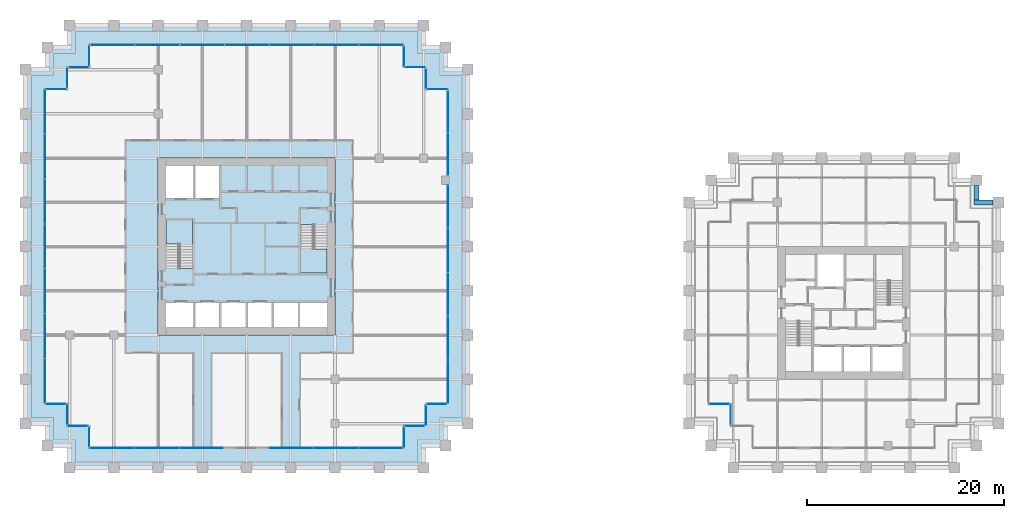
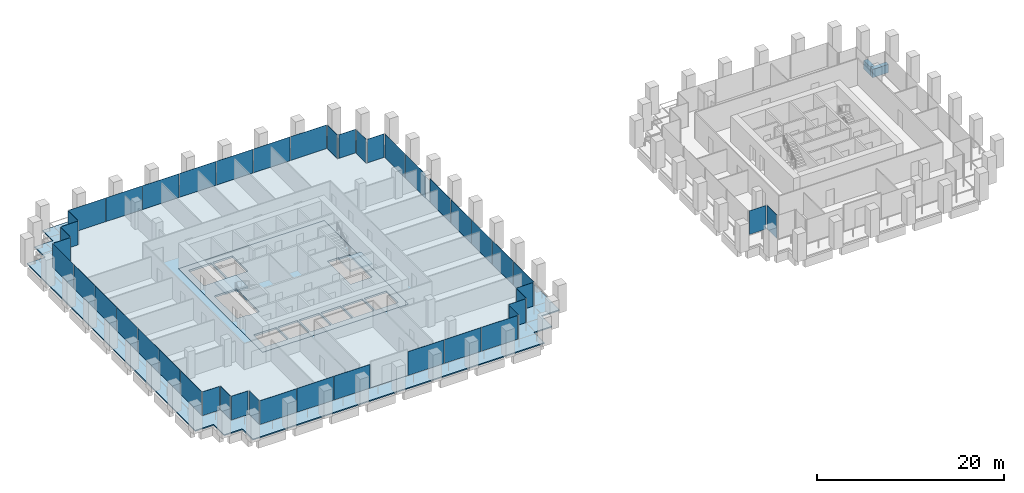
# One storey, part 48 of 56: 45 plates, 5 slabs, 2 beams, 26 elements without a shape of their own.
"""IFC4 building model written with IfcOpenShell, lengths in metres."""

from ifc_helpers import new_model, si_unit, direction, frame, origin, origin_2d, place, context, subcontext, project, spatial, polyline, rectangle, outline, extrude, material, layer, layer_set, material_profile, profile_set, type_object, element, aggregate, save


model = new_model("IFC4")

# Units and contexts
model_context = context("Model", 3, precision=1e-05, world=origin(), true_north=direction((0.0, 1.0)))
body_context = subcontext(model_context, "Body", "Model", "MODEL_VIEW")
ifc_project = project(units=[si_unit("LENGTHUNIT", "METRE"), si_unit("AREAUNIT", "SQUARE_METRE"), si_unit("VOLUMEUNIT", "CUBIC_METRE"), si_unit("PLANEANGLEUNIT", "RADIAN"), si_unit("MASSUNIT", "GRAM", prefix="KILO")], contexts=[model_context])

# Site, building, storey
site_placement = place(None, origin())
site = spatial("IfcSite", under=ifc_project, at=site_placement, CompositionType="ELEMENT")
building_placement = place(site_placement, origin())
building = spatial("IfcBuilding", under=site, at=building_placement, Name="Altepetl Exchange Towers", CompositionType="ELEMENT")
storey_placement = place(building_placement, frame((0.0, 0.0, 72.60009765625)))
storey = spatial("IfcBuildingStorey", under=building, at=storey_placement, Name="L17", CompositionType="ELEMENT", Elevation=72.60009765625)

# Beams
ifc_material_1 = material(Name="Concrete C50/60 precast with cantera amarilla facing", Category="concrete")
ifc_material_profile = material_profile(ifc_material_1, rectangle(XDim=0.5, YDim=1.10009765625, at=origin_2d()), Name="500 x 1100")
ifc_profile_set = profile_set([ifc_material_profile], Name="Concrete C50/60 precast with cantera amarilla facing")
beam_type = type_object("IfcBeamType", Name="Spandrel beam 500x1100 cantera amarilla", PredefinedType="SPANDREL", material=ifc_profile_set)
beam_1_placement = place(storey_placement, frame((125.449951171875, 54.0, -0.7001953125), z_axis=(-1.0, 0.0, 0.0), x_axis=(0.0, -1.0, 0.0)))
element("IfcBeam", 1, at=beam_1_placement, inside=storey, type_object=beam_type, Name="sp:B:L17:014", PredefinedType="SPANDREL", context=body_context, shape_type="SweptSolid", body=[
    extrude(rectangle(XDim=0.5, YDim=1.10009765625, at=origin_2d()), origin(), (0.0, 0.0, 1.0), 1.949951171875),
])
beam_2_placement = place(storey_placement, frame((123.75, 54.25, -0.7001953125), z_axis=(0.0, 1.0, 0.0), x_axis=(-1.0, 0.0, 0.0)))
element("IfcBeam", 2, at=beam_2_placement, inside=storey, type_object=beam_type, Name="sp:B:L17:015", PredefinedType="SPANDREL", context=body_context, shape_type="SweptSolid", body=[
    extrude(rectangle(XDim=0.5, YDim=1.10009765625, at=origin_2d()), origin(), (0.0, 0.0, 1.0), 1.449951171875),
])

# Slabs
ifc_material_2 = material(Name="Concrete C40/50", Category="concrete")
ifc_layer_1 = layer(ifc_material_2, 0.14990234375)
ifc_layer_set_1 = layer_set([ifc_layer_1], Name="Concrete C40/50")
slab_type_1 = type_object("IfcSlabType", Name="Composite floor slab 150", PredefinedType="FLOOR", material=ifc_layer_set_1)
slab_1_placement = place(storey_placement, frame((0.0, 0.0, -0.150146484375)))
element("IfcSlab", 3, at=slab_1_placement, inside=storey, type_object=slab_type_1, Name="slab:A:L17:strip0", PredefinedType="FLOOR", context=body_context, shape_type="SweptSolid", body=[
    extrude(outline(polyline([(31.25, 67.75), (31.25, 65.5), (29.0, 65.5), (29.0, 33.5), (31.25, 33.5), (31.25, 31.25), (33.5, 31.25), (33.5, 29.0), (65.5, 29.0), (65.5, 31.25), (67.75, 31.25), (67.75, 33.5), (70.0, 33.5), (70.0, 65.5), (67.75, 65.5), (67.75, 67.75), (65.5, 67.75), (65.5, 70.0), (33.5, 70.0), (33.5, 67.75), (31.25, 67.75)]), holes=[polyline([(58.5, 58.5), (58.5, 40.5), (40.5, 40.5), (40.5, 58.5), (58.5, 58.5)])]), origin(), (0.0, 0.0, 1.0), 0.150146484375),
])
ifc_layer_2 = layer(ifc_material_2, 0.25)
ifc_layer_set_2 = layer_set([ifc_layer_2], Name="Concrete C40/50")
slab_type_2 = type_object("IfcSlabType", Name="Core floor slab 250", PredefinedType="FLOOR", material=ifc_layer_set_2)
slab_2_placement = place(storey_placement, frame((0.0, 0.0, -0.25)))
element("IfcSlab", 4, at=slab_2_placement, inside=storey, type_object=slab_type_2, Name="slab:A:L17:core0", PredefinedType="FLOOR", context=body_context, shape_type="SweptSolid", body=[
    extrude(outline(polyline([(40.5, 40.5), (58.5, 40.5), (58.5, 58.5), (40.5, 58.5), (40.5, 40.5)]), holes=[polyline([(41.300048828125, 43.800048828125), (44.06689453125, 43.800048828125), (44.06689453125, 41.300048828125), (41.300048828125, 41.300048828125), (41.300048828125, 43.800048828125)]), polyline([(44.26708984375, 43.800048828125), (46.73291015625, 43.800048828125), (46.73291015625, 41.300048828125), (44.26708984375, 41.300048828125), (44.26708984375, 43.800048828125)]), polyline([(46.93310546875, 43.800048828125), (49.39990234375, 43.800048828125), (49.39990234375, 41.300048828125), (46.93310546875, 41.300048828125), (46.93310546875, 43.800048828125)]), polyline([(52.06689453125, 43.800048828125), (52.06689453125, 41.300048828125), (49.60009765625, 41.300048828125), (49.60009765625, 43.800048828125), (52.06689453125, 43.800048828125)]), polyline([(54.73291015625, 43.800048828125), (54.73291015625, 41.300048828125), (52.26708984375, 41.300048828125), (52.26708984375, 43.800048828125), (54.73291015625, 43.800048828125)]), polyline([(54.93310546875, 43.800048828125), (57.699951171875, 43.800048828125), (57.699951171875, 41.300048828125), (54.93310546875, 41.300048828125), (54.93310546875, 43.800048828125)]), polyline([(55.0, 51.7490234375), (56.39990234375, 51.7490234375), (56.39990234375, 51.64990234375), (57.699951171875, 51.64990234375), (57.699951171875, 46.800048828125), (55.0, 46.800048828125), (55.0, 51.7490234375)]), polyline([(44.0, 47.2509765625), (42.60009765625, 47.2509765625), (42.60009765625, 47.35009765625), (41.300048828125, 47.35009765625), (41.300048828125, 52.199951171875), (44.0, 52.199951171875), (44.0, 47.2509765625)]), polyline([(44.06689453125, 57.699951171875), (44.06689453125, 54.39990234375), (41.300048828125, 54.39990234375), (41.300048828125, 57.699951171875), (44.06689453125, 57.699951171875)]), polyline([(46.73291015625, 57.699951171875), (46.73291015625, 54.39990234375), (44.26708984375, 54.39990234375), (44.26708984375, 57.699951171875), (46.73291015625, 57.699951171875)])]), origin(), (0.0, 0.0, 1.0), 0.25),
])

# Curtain wall, plate
ifc_material_3 = material(Name="Aluminium 6063-T6 glazing", Category="aluminium")
curtain_wall_type = type_object("IfcCurtainWallType", Name="Loggia glazing system", PredefinedType="NOTDEFINED", material=ifc_material_3)
curtain_wall_1_placement = place(storey_placement, origin())
curtain_wall_1 = element("IfcCurtainWall", 5, at=curtain_wall_1_placement, inside=storey, type_object=curtain_wall_type, Name="CW1 run", PredefinedType="NOTDEFINED")
ifc_material_4 = material(Name="Glass 6-16-6 low emissivity", Category="glass")
ifc_layer_3 = layer(ifc_material_4, 0.028076171875)
ifc_layer_set_3 = layer_set([ifc_layer_3], Name="Glass 6-16-6 low emissivity")
plate_type = type_object("IfcPlateType", Name="Glass panel 28 double glazed", PredefinedType="CURTAIN_PANEL", material=ifc_layer_set_3)
plate_1_placement = place(storey_placement, frame((30.16259765625, 65.5, -0.000244140625), z_axis=(0.0, 0.0, 1.0), x_axis=(-1.0, 0.0, 0.0)))
plate_1 = element("IfcPlate", 6, at=plate_1_placement, type_object=plate_type, Name="GP1 panel", PredefinedType="CURTAIN_PANEL", context=body_context, shape_type="SweptSolid", body=[
    extrude(rectangle(XDim=2.054931640625, YDim=0.028076171875, at=origin_2d()), origin(), (0.0, 0.0, 1.0), 3.10009765625),
])
aggregate(curtain_wall_1, [plate_1])

# Curtain wall, plates
curtain_wall_2_placement = place(storey_placement, origin())
curtain_wall_2 = element("IfcCurtainWall", 7, at=curtain_wall_2_placement, inside=storey, type_object=curtain_wall_type, Name="CW1 run", PredefinedType="NOTDEFINED")
plate_2_placement = place(storey_placement, frame((29.0, 63.20458984375, -0.000244140625), z_axis=(0.0, 0.0, 1.0), x_axis=(0.0, -1.0, 0.0)))
plate_2 = element("IfcPlate", 8, at=plate_2_placement, type_object=plate_type, Name="GP1 panel", PredefinedType="CURTAIN_PANEL", context=body_context, shape_type="SweptSolid", body=[
    extrude(rectangle(XDim=4.470703125, YDim=0.028076171875, at=origin_2d()), origin(), (0.0, 0.0, 1.0), 3.10009765625),
])
plate_3_placement = place(storey_placement, frame((29.0, 58.658935546875, -0.000244140625), z_axis=(0.0, 0.0, 1.0), x_axis=(0.0, -1.0, 0.0)))
plate_3 = element("IfcPlate", 9, at=plate_3_placement, type_object=plate_type, Name="GP1 panel", PredefinedType="CURTAIN_PANEL", context=body_context, shape_type="SweptSolid", body=[
    extrude(rectangle(XDim=4.500732421875, YDim=0.028076171875, at=origin_2d()), origin(), (0.0, 0.0, 1.0), 3.10009765625),
])
plate_4_placement = place(storey_placement, frame((29.0, 54.09814453125, -0.000244140625), z_axis=(0.0, 0.0, 1.0), x_axis=(0.0, -1.0, 0.0)))
plate_4 = element("IfcPlate", 10, at=plate_4_placement, type_object=plate_type, Name="GP1 panel", PredefinedType="CURTAIN_PANEL", context=body_context, shape_type="SweptSolid", body=[
    extrude(rectangle(XDim=4.500732421875, YDim=0.028076171875, at=origin_2d()), origin(), (0.0, 0.0, 1.0), 3.10009765625),
])
plate_5_placement = place(storey_placement, frame((29.0, 49.53759765625, -0.000244140625), z_axis=(0.0, 0.0, 1.0), x_axis=(0.0, -1.0, 0.0)))
plate_5 = element("IfcPlate", 11, at=plate_5_placement, type_object=plate_type, Name="GP1 panel", PredefinedType="CURTAIN_PANEL", context=body_context, shape_type="SweptSolid", body=[
    extrude(rectangle(XDim=4.500732421875, YDim=0.028076171875, at=origin_2d()), origin(), (0.0, 0.0, 1.0), 3.10009765625),
])
plate_6_placement = place(storey_placement, frame((29.0, 44.976806640625, -0.000244140625), z_axis=(0.0, 0.0, 1.0), x_axis=(0.0, -1.0, 0.0)))
plate_6 = element("IfcPlate", 12, at=plate_6_placement, type_object=plate_type, Name="GP1 panel", PredefinedType="CURTAIN_PANEL", context=body_context, shape_type="SweptSolid", body=[
    extrude(rectangle(XDim=4.500732421875, YDim=0.028076171875, at=origin_2d()), origin(), (0.0, 0.0, 1.0), 3.10009765625),
])
plate_7_placement = place(storey_placement, frame((29.0, 40.416015625, -0.000244140625), z_axis=(0.0, 0.0, 1.0), x_axis=(0.0, -1.0, 0.0)))
plate_7 = element("IfcPlate", 13, at=plate_7_placement, type_object=plate_type, Name="GP1 panel", PredefinedType="CURTAIN_PANEL", context=body_context, shape_type="SweptSolid", body=[
    extrude(rectangle(XDim=4.500732421875, YDim=0.028076171875, at=origin_2d()), origin(), (0.0, 0.0, 1.0), 3.10009765625),
])
plate_8_placement = place(storey_placement, frame((29.0, 35.870361328125, -0.000244140625), z_axis=(0.0, 0.0, 1.0), x_axis=(0.0, -1.0, 0.0)))
plate_8 = element("IfcPlate", 14, at=plate_8_placement, type_object=plate_type, Name="GP1 panel", PredefinedType="CURTAIN_PANEL", context=body_context, shape_type="SweptSolid", body=[
    extrude(rectangle(XDim=4.470703125, YDim=0.028076171875, at=origin_2d()), origin(), (0.0, 0.0, 1.0), 3.10009765625),
])
aggregate(curtain_wall_2, [plate_2, plate_3, plate_4, plate_5, plate_6, plate_7, plate_8])

# Curtain wall, plate
curtain_wall_3_placement = place(storey_placement, origin())
curtain_wall_3 = element("IfcCurtainWall", 15, at=curtain_wall_3_placement, inside=storey, type_object=curtain_wall_type, Name="CW1 run", PredefinedType="NOTDEFINED")
plate_9_placement = place(storey_placement, frame((30.08740234375, 33.5, -0.000244140625)))
plate_9 = element("IfcPlate", 16, at=plate_9_placement, type_object=plate_type, Name="GP1 panel", PredefinedType="CURTAIN_PANEL", context=body_context, shape_type="SweptSolid", body=[
    extrude(rectangle(XDim=2.054931640625, YDim=0.028076171875, at=origin_2d()), origin(), (0.0, 0.0, 1.0), 3.10009765625),
])
aggregate(curtain_wall_3, [plate_9])

curtain_wall_4_placement = place(storey_placement, origin())
curtain_wall_4 = element("IfcCurtainWall", 17, at=curtain_wall_4_placement, inside=storey, type_object=curtain_wall_type, Name="CW1 run", PredefinedType="NOTDEFINED")
plate_10_placement = place(storey_placement, frame((31.25, 32.41259765625, -0.000244140625), z_axis=(0.0, 0.0, 1.0), x_axis=(0.0, -1.0, 0.0)))
plate_10 = element("IfcPlate", 18, at=plate_10_placement, type_object=plate_type, Name="GP1 panel", PredefinedType="CURTAIN_PANEL", context=body_context, shape_type="SweptSolid", body=[
    extrude(rectangle(XDim=2.054931640625, YDim=0.028076171875, at=origin_2d()), origin(), (0.0, 0.0, 1.0), 3.10009765625),
])
aggregate(curtain_wall_4, [plate_10])

curtain_wall_5_placement = place(storey_placement, origin())
curtain_wall_5 = element("IfcCurtainWall", 19, at=curtain_wall_5_placement, inside=storey, type_object=curtain_wall_type, Name="CW1 run", PredefinedType="NOTDEFINED")
plate_11_placement = place(storey_placement, frame((32.33740234375, 31.25, -0.000244140625)))
plate_11 = element("IfcPlate", 20, at=plate_11_placement, type_object=plate_type, Name="GP1 panel", PredefinedType="CURTAIN_PANEL", context=body_context, shape_type="SweptSolid", body=[
    extrude(rectangle(XDim=2.054931640625, YDim=0.028076171875, at=origin_2d()), origin(), (0.0, 0.0, 1.0), 3.10009765625),
])
aggregate(curtain_wall_5, [plate_11])

curtain_wall_6_placement = place(storey_placement, origin())
curtain_wall_6 = element("IfcCurtainWall", 21, at=curtain_wall_6_placement, inside=storey, type_object=curtain_wall_type, Name="CW1 run", PredefinedType="NOTDEFINED")
plate_12_placement = place(storey_placement, frame((33.5, 30.16259765625, -0.000244140625), z_axis=(0.0, 0.0, 1.0), x_axis=(0.0, -1.0, 0.0)))
plate_12 = element("IfcPlate", 22, at=plate_12_placement, type_object=plate_type, Name="GP1 panel", PredefinedType="CURTAIN_PANEL", context=body_context, shape_type="SweptSolid", body=[
    extrude(rectangle(XDim=2.054931640625, YDim=0.028076171875, at=origin_2d()), origin(), (0.0, 0.0, 1.0), 3.10009765625),
])
aggregate(curtain_wall_6, [plate_12])

# Curtain wall, plates
curtain_wall_7_placement = place(storey_placement, origin())
curtain_wall_7 = element("IfcCurtainWall", 23, at=curtain_wall_7_placement, inside=storey, type_object=curtain_wall_type, Name="CW1 run", PredefinedType="NOTDEFINED")
plate_13_placement = place(storey_placement, frame((35.79541015625, 29.0, -0.000244140625)))
plate_13 = element("IfcPlate", 24, at=plate_13_placement, type_object=plate_type, Name="GP1 panel", PredefinedType="CURTAIN_PANEL", context=body_context, shape_type="SweptSolid", body=[
    extrude(rectangle(XDim=4.470703125, YDim=0.028076171875, at=origin_2d()), origin(), (0.0, 0.0, 1.0), 3.10009765625),
])
plate_14_placement = place(storey_placement, frame((40.341064453125, 29.0, -0.000244140625)))
plate_14 = element("IfcPlate", 25, at=plate_14_placement, type_object=plate_type, Name="GP1 panel", PredefinedType="CURTAIN_PANEL", context=body_context, shape_type="SweptSolid", body=[
    extrude(rectangle(XDim=4.500732421875, YDim=0.028076171875, at=origin_2d()), origin(), (0.0, 0.0, 1.0), 3.10009765625),
])
plate_15_placement = place(storey_placement, frame((44.88671875, 29.0, -0.000244140625)))
plate_15 = element("IfcPlate", 26, at=plate_15_placement, type_object=plate_type, Name="GP1 panel", PredefinedType="CURTAIN_PANEL", context=body_context, shape_type="SweptSolid", body=[
    extrude(rectangle(XDim=4.470703125, YDim=0.028076171875, at=origin_2d()), origin(), (0.0, 0.0, 1.0), 3.10009765625),
])
aggregate(curtain_wall_7, [plate_13, plate_14, plate_15])

curtain_wall_8_placement = place(storey_placement, origin())
curtain_wall_8 = element("IfcCurtainWall", 27, at=curtain_wall_8_placement, inside=storey, type_object=curtain_wall_type, Name="CW1 run", PredefinedType="NOTDEFINED")
plate_16_placement = place(storey_placement, frame((54.038330078125, 29.0, -0.000244140625)))
plate_16 = element("IfcPlate", 28, at=plate_16_placement, type_object=plate_type, Name="GP1 panel", PredefinedType="CURTAIN_PANEL", context=body_context, shape_type="SweptSolid", body=[
    extrude(rectangle(XDim=4.470703125, YDim=0.028076171875, at=origin_2d()), origin(), (0.0, 0.0, 1.0), 3.10009765625),
])
plate_17_placement = place(storey_placement, frame((58.583984375, 29.0, -0.000244140625)))
plate_17 = element("IfcPlate", 29, at=plate_17_placement, type_object=plate_type, Name="GP1 panel", PredefinedType="CURTAIN_PANEL", context=body_context, shape_type="SweptSolid", body=[
    extrude(rectangle(XDim=4.500732421875, YDim=0.028076171875, at=origin_2d()), origin(), (0.0, 0.0, 1.0), 3.10009765625),
])
plate_18_placement = place(storey_placement, frame((63.129638671875, 29.0, -0.000244140625)))
plate_18 = element("IfcPlate", 30, at=plate_18_placement, type_object=plate_type, Name="GP1 panel", PredefinedType="CURTAIN_PANEL", context=body_context, shape_type="SweptSolid", body=[
    extrude(rectangle(XDim=4.470703125, YDim=0.028076171875, at=origin_2d()), origin(), (0.0, 0.0, 1.0), 3.10009765625),
])
aggregate(curtain_wall_8, [plate_16, plate_17, plate_18])

# Curtain wall, plate
curtain_wall_9_placement = place(storey_placement, origin())
curtain_wall_9 = element("IfcCurtainWall", 31, at=curtain_wall_9_placement, inside=storey, type_object=curtain_wall_type, Name="CW1 run", PredefinedType="NOTDEFINED")
plate_19_placement = place(storey_placement, frame((65.5, 30.08740234375, -0.000244140625), z_axis=(0.0, 0.0, 1.0), x_axis=(0.0, 1.0, 0.0)))
plate_19 = element("IfcPlate", 32, at=plate_19_placement, type_object=plate_type, Name="GP1 panel", PredefinedType="CURTAIN_PANEL", context=body_context, shape_type="SweptSolid", body=[
    extrude(rectangle(XDim=2.054931640625, YDim=0.028076171875, at=origin_2d()), origin(), (0.0, 0.0, 1.0), 3.10009765625),
])
aggregate(curtain_wall_9, [plate_19])

curtain_wall_10_placement = place(storey_placement, origin())
curtain_wall_10 = element("IfcCurtainWall", 33, at=curtain_wall_10_placement, inside=storey, type_object=curtain_wall_type, Name="CW1 run", PredefinedType="NOTDEFINED")
plate_20_placement = place(storey_placement, frame((66.58740234375, 31.25, -0.000244140625)))
plate_20 = element("IfcPlate", 34, at=plate_20_placement, type_object=plate_type, Name="GP1 panel", PredefinedType="CURTAIN_PANEL", context=body_context, shape_type="SweptSolid", body=[
    extrude(rectangle(XDim=2.054931640625, YDim=0.028076171875, at=origin_2d()), origin(), (0.0, 0.0, 1.0), 3.10009765625),
])
aggregate(curtain_wall_10, [plate_20])

curtain_wall_11_placement = place(storey_placement, origin())
curtain_wall_11 = element("IfcCurtainWall", 35, at=curtain_wall_11_placement, inside=storey, type_object=curtain_wall_type, Name="CW1 run", PredefinedType="NOTDEFINED")
plate_21_placement = place(storey_placement, frame((67.75, 32.33740234375, -0.000244140625), z_axis=(0.0, 0.0, 1.0), x_axis=(0.0, 1.0, 0.0)))
plate_21 = element("IfcPlate", 36, at=plate_21_placement, type_object=plate_type, Name="GP1 panel", PredefinedType="CURTAIN_PANEL", context=body_context, shape_type="SweptSolid", body=[
    extrude(rectangle(XDim=2.054931640625, YDim=0.028076171875, at=origin_2d()), origin(), (0.0, 0.0, 1.0), 3.10009765625),
])
aggregate(curtain_wall_11, [plate_21])

curtain_wall_12_placement = place(storey_placement, origin())
curtain_wall_12 = element("IfcCurtainWall", 37, at=curtain_wall_12_placement, inside=storey, type_object=curtain_wall_type, Name="CW1 run", PredefinedType="NOTDEFINED")
plate_22_placement = place(storey_placement, frame((68.83740234375, 33.5, -0.000244140625)))
plate_22 = element("IfcPlate", 38, at=plate_22_placement, type_object=plate_type, Name="GP1 panel", PredefinedType="CURTAIN_PANEL", context=body_context, shape_type="SweptSolid", body=[
    extrude(rectangle(XDim=2.054931640625, YDim=0.028076171875, at=origin_2d()), origin(), (0.0, 0.0, 1.0), 3.10009765625),
])
aggregate(curtain_wall_12, [plate_22])

# Curtain wall, plates
curtain_wall_13_placement = place(storey_placement, origin())
curtain_wall_13 = element("IfcCurtainWall", 39, at=curtain_wall_13_placement, inside=storey, type_object=curtain_wall_type, Name="CW1 run", PredefinedType="NOTDEFINED")
plate_23_placement = place(storey_placement, frame((70.0, 35.74560546875, -0.000244140625), z_axis=(0.0, 0.0, 1.0), x_axis=(0.0, 1.0, 0.0)))
plate_23 = element("IfcPlate", 40, at=plate_23_placement, type_object=plate_type, Name="GP1 panel", PredefinedType="CURTAIN_PANEL", context=body_context, shape_type="SweptSolid", body=[
    extrude(rectangle(XDim=4.37109375, YDim=0.028076171875, at=origin_2d()), origin(), (0.0, 0.0, 1.0), 3.10009765625),
])
plate_24_placement = place(storey_placement, frame((70.0, 40.19140625, -0.000244140625), z_axis=(0.0, 0.0, 1.0), x_axis=(0.0, 1.0, 0.0)))
plate_24 = element("IfcPlate", 41, at=plate_24_placement, type_object=plate_type, Name="GP1 panel", PredefinedType="CURTAIN_PANEL", context=body_context, shape_type="SweptSolid", body=[
    extrude(rectangle(XDim=4.40087890625, YDim=0.028076171875, at=origin_2d()), origin(), (0.0, 0.0, 1.0), 3.10009765625),
])
plate_25_placement = place(storey_placement, frame((70.0, 44.652587890625, -0.000244140625), z_axis=(0.0, 0.0, 1.0), x_axis=(0.0, 1.0, 0.0)))
plate_25 = element("IfcPlate", 42, at=plate_25_placement, type_object=plate_type, Name="GP1 panel", PredefinedType="CURTAIN_PANEL", context=body_context, shape_type="SweptSolid", body=[
    extrude(rectangle(XDim=4.40087890625, YDim=0.028076171875, at=origin_2d()), origin(), (0.0, 0.0, 1.0), 3.10009765625),
])
plate_26_placement = place(storey_placement, frame((70.0, 49.113525390625, -0.000244140625), z_axis=(0.0, 0.0, 1.0), x_axis=(0.0, 1.0, 0.0)))
plate_26 = element("IfcPlate", 43, at=plate_26_placement, type_object=plate_type, Name="GP1 panel", PredefinedType="CURTAIN_PANEL", context=body_context, shape_type="SweptSolid", body=[
    extrude(rectangle(XDim=4.40087890625, YDim=0.028076171875, at=origin_2d()), origin(), (0.0, 0.0, 1.0), 3.10009765625),
])
plate_27_placement = place(storey_placement, frame((70.0, 53.5595703125, -0.000244140625), z_axis=(0.0, 0.0, 1.0), x_axis=(0.0, 1.0, 0.0)))
plate_27 = element("IfcPlate", 44, at=plate_27_placement, type_object=plate_type, Name="GP1 panel", PredefinedType="CURTAIN_PANEL", context=body_context, shape_type="SweptSolid", body=[
    extrude(rectangle(XDim=4.37109375, YDim=0.028076171875, at=origin_2d()), origin(), (0.0, 0.0, 1.0), 3.10009765625),
])
aggregate(curtain_wall_13, [plate_23, plate_24, plate_25, plate_26, plate_27])

curtain_wall_14_placement = place(storey_placement, origin())
curtain_wall_14 = element("IfcCurtainWall", 45, at=curtain_wall_14_placement, inside=storey, type_object=curtain_wall_type, Name="CW1 run", PredefinedType="NOTDEFINED")
plate_28_placement = place(storey_placement, frame((70.0, 58.892578125, -0.000244140625), z_axis=(0.0, 0.0, 1.0), x_axis=(0.0, 1.0, 0.0)))
plate_28 = element("IfcPlate", 46, at=plate_28_placement, type_object=plate_type, Name="GP1 panel", PredefinedType="CURTAIN_PANEL", context=body_context, shape_type="SweptSolid", body=[
    extrude(rectangle(XDim=4.27490234375, YDim=0.028076171875, at=origin_2d()), origin(), (0.0, 0.0, 1.0), 3.10009765625),
])
plate_29_placement = place(storey_placement, frame((70.0, 63.2275390625, -0.000244140625), z_axis=(0.0, 0.0, 1.0), x_axis=(0.0, 1.0, 0.0)))
plate_29 = element("IfcPlate", 47, at=plate_29_placement, type_object=plate_type, Name="GP1 panel", PredefinedType="CURTAIN_PANEL", context=body_context, shape_type="SweptSolid", body=[
    extrude(rectangle(XDim=4.27490234375, YDim=0.028076171875, at=origin_2d()), origin(), (0.0, 0.0, 1.0), 3.10009765625),
])
aggregate(curtain_wall_14, [plate_28, plate_29])

# Curtain wall, plate
curtain_wall_15_placement = place(storey_placement, origin())
curtain_wall_15 = element("IfcCurtainWall", 48, at=curtain_wall_15_placement, inside=storey, type_object=curtain_wall_type, Name="CW1 run", PredefinedType="NOTDEFINED")
plate_30_placement = place(storey_placement, frame((68.91259765625, 65.5, -0.000244140625), z_axis=(0.0, 0.0, 1.0), x_axis=(-1.0, 0.0, 0.0)))
plate_30 = element("IfcPlate", 49, at=plate_30_placement, type_object=plate_type, Name="GP1 panel", PredefinedType="CURTAIN_PANEL", context=body_context, shape_type="SweptSolid", body=[
    extrude(rectangle(XDim=2.054931640625, YDim=0.028076171875, at=origin_2d()), origin(), (0.0, 0.0, 1.0), 3.10009765625),
])
aggregate(curtain_wall_15, [plate_30])

curtain_wall_16_placement = place(storey_placement, origin())
curtain_wall_16 = element("IfcCurtainWall", 50, at=curtain_wall_16_placement, inside=storey, type_object=curtain_wall_type, Name="CW1 run", PredefinedType="NOTDEFINED")
plate_31_placement = place(storey_placement, frame((67.75, 66.58740234375, -0.000244140625), z_axis=(0.0, 0.0, 1.0), x_axis=(0.0, 1.0, 0.0)))
plate_31 = element("IfcPlate", 51, at=plate_31_placement, type_object=plate_type, Name="GP1 panel", PredefinedType="CURTAIN_PANEL", context=body_context, shape_type="SweptSolid", body=[
    extrude(rectangle(XDim=2.054931640625, YDim=0.028076171875, at=origin_2d()), origin(), (0.0, 0.0, 1.0), 3.10009765625),
])
aggregate(curtain_wall_16, [plate_31])

curtain_wall_17_placement = place(storey_placement, origin())
curtain_wall_17 = element("IfcCurtainWall", 52, at=curtain_wall_17_placement, inside=storey, type_object=curtain_wall_type, Name="CW1 run", PredefinedType="NOTDEFINED")
plate_32_placement = place(storey_placement, frame((66.66259765625, 67.75, -0.000244140625), z_axis=(0.0, 0.0, 1.0), x_axis=(-1.0, 0.0, 0.0)))
plate_32 = element("IfcPlate", 53, at=plate_32_placement, type_object=plate_type, Name="GP1 panel", PredefinedType="CURTAIN_PANEL", context=body_context, shape_type="SweptSolid", body=[
    extrude(rectangle(XDim=2.054931640625, YDim=0.028076171875, at=origin_2d()), origin(), (0.0, 0.0, 1.0), 3.10009765625),
])
aggregate(curtain_wall_17, [plate_32])

curtain_wall_18_placement = place(storey_placement, origin())
curtain_wall_18 = element("IfcCurtainWall", 54, at=curtain_wall_18_placement, inside=storey, type_object=curtain_wall_type, Name="CW1 run", PredefinedType="NOTDEFINED")
plate_33_placement = place(storey_placement, frame((65.5, 68.83740234375, -0.000244140625), z_axis=(0.0, 0.0, 1.0), x_axis=(0.0, 1.0, 0.0)))
plate_33 = element("IfcPlate", 55, at=plate_33_placement, type_object=plate_type, Name="GP1 panel", PredefinedType="CURTAIN_PANEL", context=body_context, shape_type="SweptSolid", body=[
    extrude(rectangle(XDim=2.054931640625, YDim=0.028076171875, at=origin_2d()), origin(), (0.0, 0.0, 1.0), 3.10009765625),
])
aggregate(curtain_wall_18, [plate_33])

# Curtain wall, plates
curtain_wall_19_placement = place(storey_placement, origin())
curtain_wall_19 = element("IfcCurtainWall", 56, at=curtain_wall_19_placement, inside=storey, type_object=curtain_wall_type, Name="CW1 run", PredefinedType="NOTDEFINED")
plate_34_placement = place(storey_placement, frame((63.20458984375, 70.0, -0.000244140625), z_axis=(0.0, 0.0, 1.0), x_axis=(-1.0, 0.0, 0.0)))
plate_34 = element("IfcPlate", 57, at=plate_34_placement, type_object=plate_type, Name="GP1 panel", PredefinedType="CURTAIN_PANEL", context=body_context, shape_type="SweptSolid", body=[
    extrude(rectangle(XDim=4.470703125, YDim=0.028076171875, at=origin_2d()), origin(), (0.0, 0.0, 1.0), 3.10009765625),
])
plate_35_placement = place(storey_placement, frame((58.658935546875, 70.0, -0.000244140625), z_axis=(0.0, 0.0, 1.0), x_axis=(-1.0, 0.0, 0.0)))
plate_35 = element("IfcPlate", 58, at=plate_35_placement, type_object=plate_type, Name="GP1 panel", PredefinedType="CURTAIN_PANEL", context=body_context, shape_type="SweptSolid", body=[
    extrude(rectangle(XDim=4.500732421875, YDim=0.028076171875, at=origin_2d()), origin(), (0.0, 0.0, 1.0), 3.10009765625),
])
plate_36_placement = place(storey_placement, frame((54.09814453125, 70.0, -0.000244140625), z_axis=(0.0, 0.0, 1.0), x_axis=(-1.0, 0.0, 0.0)))
plate_36 = element("IfcPlate", 59, at=plate_36_placement, type_object=plate_type, Name="GP1 panel", PredefinedType="CURTAIN_PANEL", context=body_context, shape_type="SweptSolid", body=[
    extrude(rectangle(XDim=4.500732421875, YDim=0.028076171875, at=origin_2d()), origin(), (0.0, 0.0, 1.0), 3.10009765625),
])
plate_37_placement = place(storey_placement, frame((49.53759765625, 70.0, -0.000244140625), z_axis=(0.0, 0.0, 1.0), x_axis=(-1.0, 0.0, 0.0)))
plate_37 = element("IfcPlate", 60, at=plate_37_placement, type_object=plate_type, Name="GP1 panel", PredefinedType="CURTAIN_PANEL", context=body_context, shape_type="SweptSolid", body=[
    extrude(rectangle(XDim=4.500732421875, YDim=0.028076171875, at=origin_2d()), origin(), (0.0, 0.0, 1.0), 3.10009765625),
])
plate_38_placement = place(storey_placement, frame((44.976806640625, 70.0, -0.000244140625), z_axis=(0.0, 0.0, 1.0), x_axis=(-1.0, 0.0, 0.0)))
plate_38 = element("IfcPlate", 61, at=plate_38_placement, type_object=plate_type, Name="GP1 panel", PredefinedType="CURTAIN_PANEL", context=body_context, shape_type="SweptSolid", body=[
    extrude(rectangle(XDim=4.500732421875, YDim=0.028076171875, at=origin_2d()), origin(), (0.0, 0.0, 1.0), 3.10009765625),
])
plate_39_placement = place(storey_placement, frame((40.416015625, 70.0, -0.000244140625), z_axis=(0.0, 0.0, 1.0), x_axis=(-1.0, 0.0, 0.0)))
plate_39 = element("IfcPlate", 62, at=plate_39_placement, type_object=plate_type, Name="GP1 panel", PredefinedType="CURTAIN_PANEL", context=body_context, shape_type="SweptSolid", body=[
    extrude(rectangle(XDim=4.500732421875, YDim=0.028076171875, at=origin_2d()), origin(), (0.0, 0.0, 1.0), 3.10009765625),
])
plate_40_placement = place(storey_placement, frame((35.870361328125, 70.0, -0.000244140625), z_axis=(0.0, 0.0, 1.0), x_axis=(-1.0, 0.0, 0.0)))
plate_40 = element("IfcPlate", 63, at=plate_40_placement, type_object=plate_type, Name="GP1 panel", PredefinedType="CURTAIN_PANEL", context=body_context, shape_type="SweptSolid", body=[
    extrude(rectangle(XDim=4.470703125, YDim=0.028076171875, at=origin_2d()), origin(), (0.0, 0.0, 1.0), 3.10009765625),
])
aggregate(curtain_wall_19, [plate_34, plate_35, plate_36, plate_37, plate_38, plate_39, plate_40])

# Curtain wall, plate
curtain_wall_20_placement = place(storey_placement, origin())
curtain_wall_20 = element("IfcCurtainWall", 64, at=curtain_wall_20_placement, inside=storey, type_object=curtain_wall_type, Name="CW1 run", PredefinedType="NOTDEFINED")
plate_41_placement = place(storey_placement, frame((33.5, 68.91259765625, -0.000244140625), z_axis=(0.0, 0.0, 1.0), x_axis=(0.0, -1.0, 0.0)))
plate_41 = element("IfcPlate", 65, at=plate_41_placement, type_object=plate_type, Name="GP1 panel", PredefinedType="CURTAIN_PANEL", context=body_context, shape_type="SweptSolid", body=[
    extrude(rectangle(XDim=2.054931640625, YDim=0.028076171875, at=origin_2d()), origin(), (0.0, 0.0, 1.0), 3.10009765625),
])
aggregate(curtain_wall_20, [plate_41])

curtain_wall_21_placement = place(storey_placement, origin())
curtain_wall_21 = element("IfcCurtainWall", 66, at=curtain_wall_21_placement, inside=storey, type_object=curtain_wall_type, Name="CW1 run", PredefinedType="NOTDEFINED")
plate_42_placement = place(storey_placement, frame((32.41259765625, 67.75, -0.000244140625), z_axis=(0.0, 0.0, 1.0), x_axis=(-1.0, 0.0, 0.0)))
plate_42 = element("IfcPlate", 67, at=plate_42_placement, type_object=plate_type, Name="GP1 panel", PredefinedType="CURTAIN_PANEL", context=body_context, shape_type="SweptSolid", body=[
    extrude(rectangle(XDim=2.054931640625, YDim=0.028076171875, at=origin_2d()), origin(), (0.0, 0.0, 1.0), 3.10009765625),
])
aggregate(curtain_wall_21, [plate_42])

curtain_wall_22_placement = place(storey_placement, origin())
curtain_wall_22 = element("IfcCurtainWall", 68, at=curtain_wall_22_placement, inside=storey, type_object=curtain_wall_type, Name="CW1 run", PredefinedType="NOTDEFINED")
plate_43_placement = place(storey_placement, frame((31.25, 66.66259765625, -0.000244140625), z_axis=(0.0, 0.0, 1.0), x_axis=(0.0, -1.0, 0.0)))
plate_43 = element("IfcPlate", 69, at=plate_43_placement, type_object=plate_type, Name="GP1 panel", PredefinedType="CURTAIN_PANEL", context=body_context, shape_type="SweptSolid", body=[
    extrude(rectangle(XDim=2.054931640625, YDim=0.028076171875, at=origin_2d()), origin(), (0.0, 0.0, 1.0), 3.10009765625),
])
aggregate(curtain_wall_22, [plate_43])

curtain_wall_23_placement = place(storey_placement, origin())
curtain_wall_23 = element("IfcCurtainWall", 70, at=curtain_wall_23_placement, inside=storey, type_object=curtain_wall_type, Name="CW1 run", PredefinedType="NOTDEFINED")
plate_44_placement = place(storey_placement, frame((97.58740234375, 33.5, -0.000244140625)))
plate_44 = element("IfcPlate", 71, at=plate_44_placement, type_object=plate_type, Name="GP1 panel", PredefinedType="CURTAIN_PANEL", context=body_context, shape_type="SweptSolid", body=[
    extrude(rectangle(XDim=2.054931640625, YDim=0.028076171875, at=origin_2d()), origin(), (0.0, 0.0, 1.0), 3.10009765625),
])
aggregate(curtain_wall_23, [plate_44])

curtain_wall_24_placement = place(storey_placement, origin())
curtain_wall_24 = element("IfcCurtainWall", 72, at=curtain_wall_24_placement, inside=storey, type_object=curtain_wall_type, Name="CW1 run", PredefinedType="NOTDEFINED")
plate_45_placement = place(storey_placement, frame((98.75, 32.41259765625, -0.000244140625), z_axis=(0.0, 0.0, 1.0), x_axis=(0.0, -1.0, 0.0)))
plate_45 = element("IfcPlate", 73, at=plate_45_placement, type_object=plate_type, Name="GP1 panel", PredefinedType="CURTAIN_PANEL", context=body_context, shape_type="SweptSolid", body=[
    extrude(rectangle(XDim=2.054931640625, YDim=0.028076171875, at=origin_2d()), origin(), (0.0, 0.0, 1.0), 3.10009765625),
])
aggregate(curtain_wall_24, [plate_45])

# Slab
ifc_layer_4 = layer(ifc_material_2, 0.14990234375)
ifc_layer_set_4 = layer_set([ifc_layer_4], Name="Concrete C40/50")
slab_type_3 = type_object("IfcSlabType", Name="Loggia slab 150", PredefinedType="FLOOR", material=ifc_layer_set_4)
slab_3_placement = place(storey_placement, frame((0.0, 0.0, -0.150146484375)))
element("IfcSlab", 74, at=slab_3_placement, inside=storey, type_object=slab_type_3, Name="slab:A:L17:loggia0", PredefinedType="FLOOR", context=body_context, shape_type="SweptSolid", body=[
    extrude(outline(polyline([(29.25, 67.5), (27.0, 67.5), (27.0, 40.5), (27.0, 31.5), (29.25, 31.5), (29.25, 29.25), (31.5, 29.25), (31.5, 27.0), (58.5, 27.0), (67.5, 27.0), (67.5, 29.25), (69.75, 29.25), (69.75, 31.5), (72.0, 31.5), (72.0, 58.5), (72.0, 67.5), (69.75, 67.5), (69.75, 69.75), (67.5, 69.75), (67.5, 72.0), (40.5, 72.0), (31.5, 72.0), (31.5, 69.75), (29.25, 69.75), (29.25, 67.5)]), holes=[polyline([(29.0, 65.5), (31.25, 65.5), (31.25, 67.75), (33.5, 67.75), (33.5, 70.0), (65.5, 70.0), (65.5, 67.75), (67.75, 67.75), (67.75, 65.5), (70.0, 65.5), (70.0, 33.5), (67.75, 33.5), (67.75, 31.25), (65.5, 31.25), (65.5, 29.0), (33.5, 29.0), (33.5, 31.25), (31.25, 31.25), (31.25, 33.5), (29.0, 33.5), (29.0, 65.5)])]), origin(), (0.0, 0.0, 1.0), 0.150146484375),
])

# Stair, slab
stair_type = type_object("IfcStairType", Name="Exit stair 1300 flights dogleg", PredefinedType="HALF_TURN_STAIR", material=ifc_material_2)
stair_1_placement = place(storey_placement, origin())
stair_1 = element("IfcStair", 75, at=stair_1_placement, inside=storey, type_object=stair_type, Name="Exit stair 1", PredefinedType="HALF_TURN_STAIR")
ifc_layer_5 = layer(ifc_material_2, 0.199951171875)
ifc_layer_set_5 = layer_set([ifc_layer_5], Name="Concrete C40/50")
slab_type_4 = type_object("IfcSlabType", Name="Stair landing 200 reinforced concrete", PredefinedType="LANDING", material=ifc_layer_set_5)
slab_4_placement = place(storey_placement, frame((0.0, 0.0, 1.599853515625)))
slab_4 = element("IfcSlab", 76, at=slab_4_placement, type_object=slab_type_4, Name="ST-A1c landing 1", PredefinedType="LANDING", context=body_context, shape_type="SweptSolid", body=[
    extrude(outline(polyline([(44.0, 49.669921875), (42.699951171875, 49.669921875), (42.699951171875, 49.77001953125), (42.60009765625, 49.77001953125), (42.60009765625, 49.769287109375), (41.300048828125, 49.769287109375), (41.300048828125, 49.77001953125), (41.300048828125, 52.199951171875), (44.0, 52.199951171875), (44.0, 49.77001953125), (44.0, 49.669921875)])), origin(), (0.0, 0.0, 1.0), 0.199951171875),
])
aggregate(stair_1, [slab_4])

stair_2_placement = place(storey_placement, origin())
stair_2 = element("IfcStair", 77, at=stair_2_placement, inside=storey, type_object=stair_type, Name="Exit stair 2", PredefinedType="HALF_TURN_STAIR")
slab_5_placement = place(storey_placement, frame((0.0, 0.0, 1.599853515625)))
slab_5 = element("IfcSlab", 78, at=slab_5_placement, type_object=slab_type_4, Name="ST-A2c landing 1", PredefinedType="LANDING", context=body_context, shape_type="SweptSolid", body=[
    extrude(outline(polyline([(57.699951171875, 46.800048828125), (55.0, 46.800048828125), (55.0, 49.22998046875), (55.0, 49.330078125), (56.300048828125, 49.330078125), (56.300048828125, 49.22998046875), (56.39990234375, 49.22998046875), (56.39990234375, 49.230712890625), (57.699951171875, 49.230712890625), (57.699951171875, 49.22998046875), (57.699951171875, 46.800048828125)])), origin(), (0.0, 0.0, 1.0), 0.199951171875),
])
aggregate(stair_2, [slab_5])

save(model, "model.ifc")
